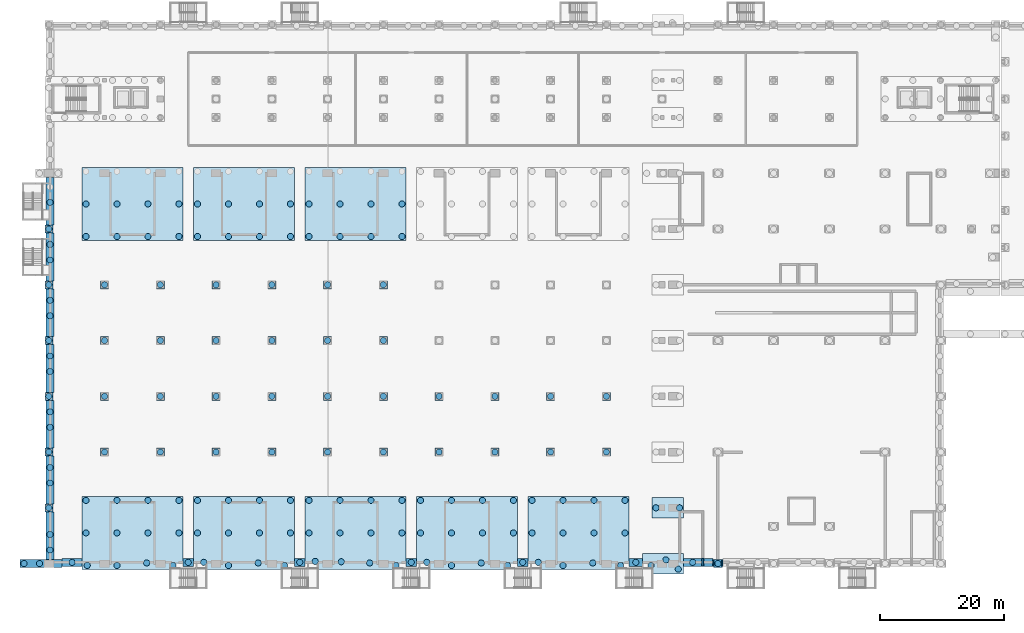
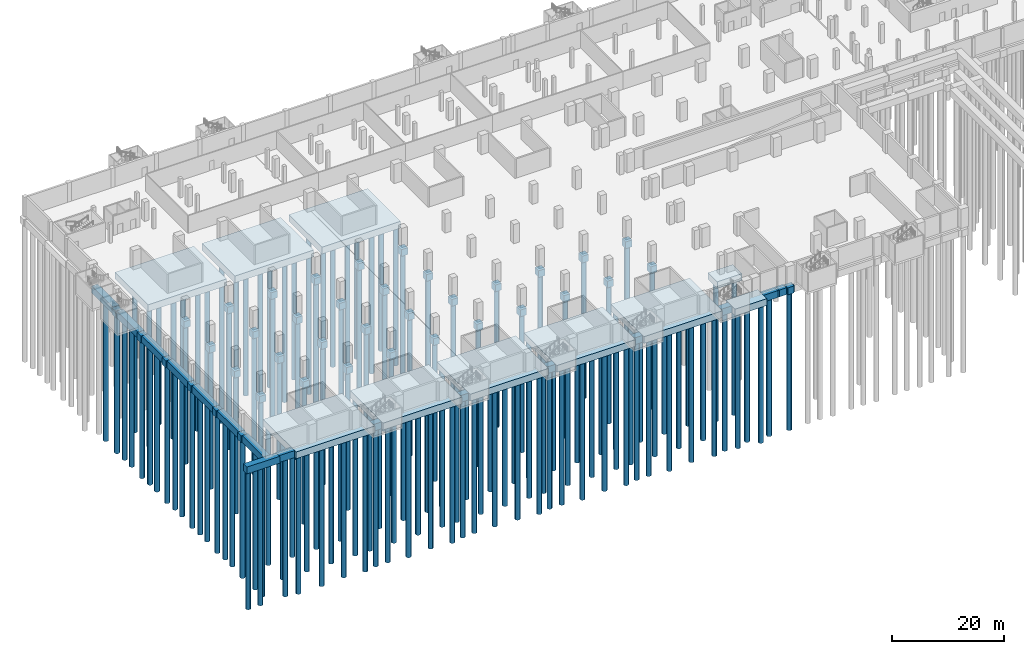
# One storey, part 1 of 29: 150 piles, 68 footings.
"""IFC4 building model written with IfcOpenShell, lengths in metres."""

from ifc_helpers import new_model, si_unit, direction, frame, origin, origin_2d, place, context, subcontext, project, spatial, rectangle, circle, extrude, material, material_profile, profile_set, type_object, element, save


model = new_model("IFC4")

# Units and contexts
model_context = context("Model", 3, precision=1e-05, world=origin(), true_north=direction((0.0, 1.0)))
body_context = subcontext(model_context, "Body", "Model", "MODEL_VIEW")
ifc_project = project(units=[si_unit("LENGTHUNIT", "METRE"), si_unit("AREAUNIT", "SQUARE_METRE"), si_unit("VOLUMEUNIT", "CUBIC_METRE"), si_unit("PLANEANGLEUNIT", "RADIAN"), si_unit("MASSUNIT", "GRAM", prefix="KILO")], contexts=[model_context])

# Site, building, storey
site_placement = place(None, origin())
site = spatial("IfcSite", under=ifc_project, at=site_placement, CompositionType="ELEMENT")
building_placement = place(site_placement, origin())
building = spatial("IfcBuilding", under=site, at=building_placement, Name="Aravalli Gate Trade Fair Centre", CompositionType="ELEMENT")
storey_placement = place(building_placement, frame((0.0, 0.0, -8.39990234375)))
storey = spatial("IfcBuildingStorey", under=building, at=storey_placement, Name="B2", CompositionType="ELEMENT", Elevation=-8.39990234375)

# Piles
ifc_material = material(Name="Concrete M35", Category="concrete")
ifc_material_profile = material_profile(ifc_material, circle(Radius=0.5, at=origin_2d()), Name="D1000")
ifc_profile_set = profile_set([ifc_material_profile], Name="Concrete M35")
pile_type = type_object("IfcPileType", Name="Basement bored pile D1000", PredefinedType="BORED", material=ifc_profile_set)
for number, where, z_axis, x_axis, name in (
    (1, (103.199951171875, 45.699951171875, -1.900146484375), (0.0, 0.0, -1.0), (1.0, 0.0, 0.0), "Basement bored pile W090-01"),
    (2, (105.60009765625, 46.60009765625, -1.900146484375), (0.0, 0.0, -1.0), (1.0, 0.0, 0.0), "Basement bored pile W090-02"),
    (3, (107.60009765625, 45.10009765625, -1.900146484375), (0.0, 0.0, -1.0), (1.0, 0.0, 0.0), "Basement bored pile W090-03"),
    (4, (12.0, 50.949951171875, -1.900146484375), (0.0, 0.0, -1.0), (1.0, 0.0, 0.0), "Basement bored pile W091-01"),
    (5, (12.0, 56.199951171875, -1.900146484375), (0.0, 0.0, -1.0), (1.0, 0.0, 0.0), "Basement bored pile W091-02"),
    (6, (12.199951171875, 45.699951171875, -1.900146484375), (0.0, 0.0, -1.0), (1.0, 0.0, 0.0), "Basement bored pile W091-03"),
    (7, (17.0, 45.699951171875, -1.900146484375), (0.0, 0.0, -1.0), (1.0, 0.0, 0.0), "Basement bored pile W091-04"),
    (8, (17.0, 50.949951171875, -1.900146484375), (0.0, 0.0, -1.0), (1.0, 0.0, 0.0), "Basement bored pile W091-05"),
    (9, (17.0, 56.199951171875, -1.900146484375), (0.0, 0.0, -1.0), (1.0, 0.0, 0.0), "Basement bored pile W091-06"),
    (10, (21.800048828125, 46.10009765625, -1.900146484375), (0.0, 0.0, -1.0), (1.0, 0.0, 0.0), "Basement bored pile W091-07"),
    (11, (22.0, 50.949951171875, -1.900146484375), (0.0, 0.0, -1.0), (1.0, 0.0, 0.0), "Basement bored pile W091-08"),
    (12, (22.0, 56.199951171875, -1.900146484375), (0.0, 0.0, -1.0), (1.0, 0.0, 0.0), "Basement bored pile W091-09"),
    (13, (26.050048828125, 45.699951171875, -1.900146484375), (0.0, 0.0, -1.0), (1.0, 0.0, 0.0), "Basement bored pile W091-10"),
    (14, (27.0, 50.949951171875, -1.900146484375), (0.0, 0.0, -1.0), (1.0, 0.0, 0.0), "Basement bored pile W091-11"),
    (15, (27.0, 56.199951171875, -1.900146484375), (0.0, 0.0, -1.0), (1.0, 0.0, 0.0), "Basement bored pile W091-12"),
    (16, (30.0, 50.949951171875, -1.900146484375), (0.0, 0.0, -1.0), (1.0, 0.0, 0.0), "Basement bored pile W092-01"),
    (17, (30.0, 56.199951171875, -1.900146484375), (0.0, 0.0, -1.0), (1.0, 0.0, 0.0), "Basement bored pile W092-02"),
    (18, (31.0, 46.199951171875, -1.900146484375), (0.0, 0.0, -1.0), (1.0, 0.0, 0.0), "Basement bored pile W092-03"),
    (19, (35.0, 45.699951171875, -1.900146484375), (0.0, 0.0, -1.0), (1.0, 0.0, 0.0), "Basement bored pile W092-04"),
    (20, (35.0, 50.949951171875, -1.900146484375), (0.0, 0.0, -1.0), (1.0, 0.0, 0.0), "Basement bored pile W092-05"),
    (21, (35.0, 56.199951171875, -1.900146484375), (0.0, 0.0, -1.0), (1.0, 0.0, 0.0), "Basement bored pile W092-06"),
    (22, (39.800048828125, 46.10009765625, -1.900146484375), (0.0, 0.0, -1.0), (1.0, 0.0, 0.0), "Basement bored pile W092-07"),
    (23, (40.0, 50.949951171875, -1.900146484375), (0.0, 0.0, -1.0), (1.0, 0.0, 0.0), "Basement bored pile W092-08"),
    (24, (40.0, 56.199951171875, -1.900146484375), (0.0, 0.0, -1.0), (1.0, 0.0, 0.0), "Basement bored pile W092-09"),
    (25, (44.050048828125, 45.699951171875, -1.900146484375), (0.0, 0.0, -1.0), (1.0, 0.0, 0.0), "Basement bored pile W092-10"),
    (26, (45.0, 50.949951171875, -1.900146484375), (0.0, 0.0, -1.0), (1.0, 0.0, 0.0), "Basement bored pile W092-11"),
    (27, (45.0, 56.199951171875, -1.900146484375), (0.0, 0.0, -1.0), (1.0, 0.0, 0.0), "Basement bored pile W092-12"),
    (28, (48.0, 50.949951171875, -1.900146484375), (0.0, 0.0, -1.0), (1.0, 0.0, 0.0), "Basement bored pile W093-01"),
    (29, (48.0, 56.199951171875, -1.900146484375), (0.0, 0.0, -1.0), (1.0, 0.0, 0.0), "Basement bored pile W093-02"),
    (30, (49.0, 46.35009765625, -1.900146484375), (0.0, 0.0, -1.0), (1.0, 0.0, 0.0), "Basement bored pile W093-03"),
    (31, (53.0, 50.949951171875, -1.900146484375), (0.0, 0.0, -1.0), (1.0, 0.0, 0.0), "Basement bored pile W093-04"),
    (32, (53.0, 56.199951171875, -1.900146484375), (0.0, 0.0, -1.0), (1.0, 0.0, 0.0), "Basement bored pile W093-05"),
    (33, (53.199951171875, 46.300048828125, -1.900146484375), (0.0, 0.0, -1.0), (1.0, 0.0, 0.0), "Basement bored pile W093-06"),
    (34, (57.800048828125, 46.10009765625, -1.900146484375), (0.0, 0.0, -1.0), (1.0, 0.0, 0.0), "Basement bored pile W093-07"),
    (35, (58.0, 50.949951171875, -1.900146484375), (0.0, 0.0, -1.0), (1.0, 0.0, 0.0), "Basement bored pile W093-08"),
    (36, (58.0, 56.199951171875, -1.900146484375), (0.0, 0.0, -1.0), (1.0, 0.0, 0.0), "Basement bored pile W093-09"),
    (37, (62.050048828125, 45.699951171875, -1.900146484375), (0.0, 0.0, -1.0), (1.0, 0.0, 0.0), "Basement bored pile W093-10"),
    (38, (63.0, 50.949951171875, -1.900146484375), (0.0, 0.0, -1.0), (1.0, 0.0, 0.0), "Basement bored pile W093-11"),
    (39, (63.0, 56.199951171875, -1.900146484375), (0.0, 0.0, -1.0), (1.0, 0.0, 0.0), "Basement bored pile W093-12"),
    (40, (66.0, 50.949951171875, -1.900146484375), (0.0, 0.0, -1.0), (1.0, 0.0, 0.0), "Basement bored pile W094-01"),
    (41, (66.0, 56.199951171875, -1.900146484375), (0.0, 0.0, -1.0), (1.0, 0.0, 0.0), "Basement bored pile W094-02"),
    (42, (67.0, 46.199951171875, -1.900146484375), (0.0, 0.0, -1.0), (1.0, 0.0, 0.0), "Basement bored pile W094-03"),
    (43, (71.0, 45.699951171875, -1.900146484375), (0.0, 0.0, -1.0), (1.0, 0.0, 0.0), "Basement bored pile W094-04"),
    (44, (71.0, 50.949951171875, -1.900146484375), (0.0, 0.0, -1.0), (1.0, 0.0, 0.0), "Basement bored pile W094-05"),
    (45, (71.0, 56.199951171875, -1.900146484375), (0.0, 0.0, -1.0), (1.0, 0.0, 0.0), "Basement bored pile W094-06"),
    (46, (75.800048828125, 46.10009765625, -1.900146484375), (0.0, 0.0, -1.0), (1.0, 0.0, 0.0), "Basement bored pile W094-07"),
    (47, (76.0, 50.949951171875, -1.900146484375), (0.0, 0.0, -1.0), (1.0, 0.0, 0.0), "Basement bored pile W094-08"),
    (48, (76.0, 56.199951171875, -1.900146484375), (0.0, 0.0, -1.0), (1.0, 0.0, 0.0), "Basement bored pile W094-09"),
    (49, (80.050048828125, 45.699951171875, -1.900146484375), (0.0, 0.0, -1.0), (1.0, 0.0, 0.0), "Basement bored pile W094-10"),
    (50, (81.0, 50.949951171875, -1.900146484375), (0.0, 0.0, -1.0), (1.0, 0.0, 0.0), "Basement bored pile W094-11"),
    (51, (81.0, 56.199951171875, -1.900146484375), (0.0, 0.0, -1.0), (1.0, 0.0, 0.0), "Basement bored pile W094-12"),
    (52, (84.0, 50.949951171875, -1.900146484375), (0.0, 0.0, -1.0), (1.0, 0.0, 0.0), "Basement bored pile W095-01"),
    (53, (84.0, 56.199951171875, -1.900146484375), (0.0, 0.0, -1.0), (1.0, 0.0, 0.0), "Basement bored pile W095-02"),
    (54, (85.0, 46.199951171875, -1.900146484375), (0.0, 0.0, -1.0), (1.0, 0.0, 0.0), "Basement bored pile W095-03"),
    (55, (89.0, 45.699951171875, -1.900146484375), (0.0, 0.0, -1.0), (1.0, 0.0, 0.0), "Basement bored pile W095-04"),
    (56, (89.0, 50.949951171875, -1.900146484375), (0.0, 0.0, -1.0), (1.0, 0.0, 0.0), "Basement bored pile W095-05"),
    (57, (89.0, 56.199951171875, -1.900146484375), (0.0, 0.0, -1.0), (1.0, 0.0, 0.0), "Basement bored pile W095-06"),
    (58, (93.800048828125, 46.10009765625, -1.900146484375), (0.0, 0.0, -1.0), (1.0, 0.0, 0.0), "Basement bored pile W095-07"),
    (59, (94.0, 50.949951171875, -1.900146484375), (0.0, 0.0, -1.0), (1.0, 0.0, 0.0), "Basement bored pile W095-08"),
    (60, (94.0, 56.199951171875, -1.900146484375), (0.0, 0.0, -1.0), (1.0, 0.0, 0.0), "Basement bored pile W095-09"),
    (61, (98.300048828125, 45.699951171875, -1.900146484375), (0.0, 0.0, -1.0), (1.0, 0.0, 0.0), "Basement bored pile W095-10"),
    (62, (99.0, 50.949951171875, -1.900146484375), (0.0, 0.0, -1.0), (1.0, 0.0, 0.0), "Basement bored pile W095-11"),
    (63, (99.0, 56.199951171875, -1.900146484375), (0.0, 0.0, -1.0), (1.0, 0.0, 0.0), "Basement bored pile W095-12"),
    (64, (2.0, 46.0, -1.900146484375), (0.0, 0.0, -1.0), (1.0, 0.0, 0.0), "Basement bored pile W096-01"),
    (65, (4.5, 46.0, -1.900146484375), (0.0, 0.0, -1.0), (1.0, 0.0, 0.0), "Basement bored pile W096-02"),
    (66, (114.0, 46.0, -1.900146484375), (0.0, 0.0, -1.0), (1.0, 0.0, 0.0), "Basement bored pile W097-01"),
    (67, (9.75, 46.199951171875, -1.900146484375), (0.0, 0.0, -1.0), (1.0, 0.0, 0.0), "Basement bored pile W102-01"),
    (68, (28.5, 46.199951171875, -1.900146484375), (0.0, 0.0, -1.0), (1.0, 0.0, 0.0), "Basement bored pile W103-01"),
    (69, (46.5, 46.199951171875, -1.900146484375), (0.0, 0.0, -1.0), (1.0, 0.0, 0.0), "Basement bored pile W104-01"),
    (70, (64.5, 46.199951171875, -1.900146484375), (0.0, 0.0, -1.0), (1.0, 0.0, 0.0), "Basement bored pile W105-01"),
    (71, (82.5, 46.199951171875, -1.900146484375), (0.0, 0.0, -1.0), (1.0, 0.0, 0.0), "Basement bored pile W106-01"),
    (72, (100.75, 46.199951171875, -1.900146484375), (0.0, 0.0, -1.0), (1.0, 0.0, 0.0), "Basement bored pile W107-01"),
    (73, (109.925048828125, 46.199951171875, -1.900146484375), (0.0, 0.0, -1.0), (1.0, 0.0, 0.0), "Basement bored pile W108-01"),
    (74, (6.199951171875, 48.199951171875, -1.900146484375), (0.0, 0.0, -1.0), (1.0, 0.0, 0.0), "Basement bored pile W115-01"),
    (75, (6.199951171875, 50.699951171875, -1.900146484375), (0.0, 0.0, -1.0), (1.0, 0.0, 0.0), "Basement bored pile W115-02"),
    (76, (104.0, 55.0, -1.900146484375), (0.0, 0.0, -1.0), (1.0, 0.0, 0.0), "Basement bored pile W119-01"),
    (77, (107.800048828125, 55.0, -1.900146484375), (0.0, 0.0, -1.0), (1.0, 0.0, 0.0), "Basement bored pile W119-02"),
    (78, (6.0, 55.0, -1.900146484375), (0.0, 0.0, -1.0), (1.0, 0.0, 0.0), "Basement bored pile W120-01"),
    (79, (6.199951171875, 59.0, -1.900146484375), (0.0, 0.0, -1.0), (1.0, 0.0, 0.0), "Basement bored pile W122-01"),
    (80, (6.199951171875, 61.5, -1.900146484375), (0.0, 0.0, -1.0), (1.0, 0.0, 0.0), "Basement bored pile W122-02"),
    (81, (6.0, 64.0, -1.900146484375), (0.0, 0.0, -1.0), (1.0, 0.0, 0.0), "Basement bored pile W125-01"),
    (82, (15.0, 64.0, -1.900146484375), (0.0, 0.0, -1.0), (1.0, 0.0, 0.0), "Basement bored pile W126-01"),
    (83, (24.0, 64.0, -1.900146484375), (0.0, 0.0, -1.0), (1.0, 0.0, 0.0), "Basement bored pile W127-01"),
    (84, (33.0, 64.0, -1.900146484375), (0.0, 0.0, -1.0), (1.0, 0.0, 0.0), "Basement bored pile W128-01"),
    (85, (42.0, 64.0, -1.900146484375), (0.0, 0.0, -1.0), (1.0, 0.0, 0.0), "Basement bored pile W129-01"),
    (86, (51.0, 64.0, -1.900146484375), (0.0, 0.0, -1.0), (1.0, 0.0, 0.0), "Basement bored pile W130-01"),
    (87, (60.0, 64.0, -1.900146484375), (0.0, 0.0, -1.0), (1.0, 0.0, 0.0), "Basement bored pile W131-01"),
    (88, (69.0, 64.0, -1.900146484375), (0.0, 0.0, -1.0), (1.0, 0.0, 0.0), "Basement bored pile W132-01"),
    (89, (78.0, 64.0, -1.900146484375), (0.0, 0.0, -1.0), (1.0, 0.0, 0.0), "Basement bored pile W133-01"),
    (90, (87.0, 64.0, -1.900146484375), (0.0, 0.0, -1.0), (1.0, 0.0, 0.0), "Basement bored pile W134-01"),
    (91, (96.0, 64.0, -1.900146484375), (0.0, 0.0, -1.0), (1.0, 0.0, 0.0), "Basement bored pile W135-01"),
    (92, (6.199951171875, 68.0, -1.900146484375), (0.0, 0.0, -1.0), (1.0, 0.0, 0.0), "Basement bored pile W139-01"),
    (93, (6.199951171875, 70.5, -1.900146484375), (0.0, 0.0, -1.0), (1.0, 0.0, 0.0), "Basement bored pile W139-02"),
    (94, (6.0, 73.0, -1.900146484375), (0.0, 0.0, -1.0), (1.0, 0.0, 0.0), "Basement bored pile W142-01"),
    (95, (15.0, 73.0, -1.900146484375), (0.0, 0.0, -1.0), (1.0, 0.0, 0.0), "Basement bored pile W143-01"),
    (96, (24.0, 73.0, -1.900146484375), (0.0, 0.0, -1.0), (1.0, 0.0, 0.0), "Basement bored pile W144-01"),
    (97, (33.0, 73.0, -1.900146484375), (0.0, 0.0, -1.0), (1.0, 0.0, 0.0), "Basement bored pile W145-01"),
    (98, (42.0, 73.0, -1.900146484375), (0.0, 0.0, -1.0), (1.0, 0.0, 0.0), "Basement bored pile W146-01"),
    (99, (51.0, 73.0, -1.900146484375), (0.0, 0.0, -1.0), (1.0, 0.0, 0.0), "Basement bored pile W147-01"),
    (100, (60.0, 73.0, -1.900146484375), (0.0, 0.0, -1.0), (1.0, 0.0, 0.0), "Basement bored pile W148-01"),
    (101, (69.0, 73.0, -1.900146484375), (0.0, 0.0, -1.0), (1.0, 0.0, 0.0), "Basement bored pile W149-01"),
    (102, (78.0, 73.0, -1.900146484375), (0.0, 0.0, -1.0), (1.0, 0.0, 0.0), "Basement bored pile W150-01"),
    (103, (87.0, 73.0, -1.900146484375), (0.0, 0.0, -1.0), (1.0, 0.0, 0.0), "Basement bored pile W151-01"),
    (104, (96.0, 73.0, -1.900146484375), (0.0, 0.0, -1.0), (1.0, 0.0, 0.0), "Basement bored pile W152-01"),
    (105, (6.199951171875, 77.0, -1.900146484375), (0.0, 0.0, -1.0), (1.0, 0.0, 0.0), "Basement bored pile W154-01"),
    (106, (6.199951171875, 79.5, -1.900146484375), (0.0, 0.0, -1.0), (1.0, 0.0, 0.0), "Basement bored pile W154-02"),
    (107, (6.0, 82.0, -1.900146484375), (0.0, 0.0, -1.0), (1.0, 0.0, 0.0), "Basement bored pile W157-01"),
    (108, (15.0, 82.0, -1.900146484375), (0.0, 0.0, -1.0), (1.0, 0.0, 0.0), "Basement bored pile W158-01"),
    (109, (24.0, 82.0, -1.900146484375), (0.0, 0.0, -1.0), (1.0, 0.0, 0.0), "Basement bored pile W159-01"),
    (110, (33.0, 82.0, -1.900146484375), (0.0, 0.0, -1.0), (1.0, 0.0, 0.0), "Basement bored pile W160-01"),
    (111, (42.0, 82.0, -1.900146484375), (0.0, 0.0, -1.0), (1.0, 0.0, 0.0), "Basement bored pile W161-01"),
    (112, (51.0, 82.0, -1.900146484375), (0.0, 0.0, -1.0), (1.0, 0.0, 0.0), "Basement bored pile W162-01"),
    (113, (60.0, 82.0, -1.900146484375), (0.0, 0.0, -1.0), (1.0, 0.0, 0.0), "Basement bored pile W163-01"),
    (114, (6.199951171875, 86.0, -1.900146484375), (0.0, 0.0, -1.0), (1.0, 0.0, 0.0), "Basement bored pile W174-01"),
    (115, (6.199951171875, 88.5, -1.900146484375), (0.0, 0.0, -1.0), (1.0, 0.0, 0.0), "Basement bored pile W174-02"),
    (116, (6.0, 91.0, -1.900146484375), (0.0, 0.0, -1.0), (1.0, 0.0, 0.0), "Basement bored pile W178-01"),
    (117, (15.0, 91.0, -1.900146484375), (0.0, 0.0, -1.0), (1.0, 0.0, 0.0), "Basement bored pile W179-01"),
    (118, (24.0, 91.0, -1.900146484375), (0.0, 0.0, -1.0), (1.0, 0.0, 0.0), "Basement bored pile W180-01"),
    (119, (33.0, 91.0, -1.900146484375), (0.0, 0.0, -1.0), (1.0, 0.0, 0.0), "Basement bored pile W181-01"),
    (120, (42.0, 91.0, -1.900146484375), (0.0, 0.0, -1.0), (1.0, 0.0, 0.0), "Basement bored pile W182-01"),
    (121, (51.0, 91.0, -1.900146484375), (0.0, 0.0, -1.0), (1.0, 0.0, 0.0), "Basement bored pile W183-01"),
    (122, (60.0, 91.0, -1.900146484375), (0.0, 0.0, -1.0), (1.0, 0.0, 0.0), "Basement bored pile W184-01"),
    (123, (6.199951171875, 95.0, -1.900146484375), (0.0, 0.0, -1.0), (1.0, 0.0, 0.0), "Basement bored pile W191-01"),
    (124, (6.199951171875, 97.5, -1.900146484375), (0.0, 0.0, -1.0), (1.0, 0.0, 0.0), "Basement bored pile W191-02"),
    (125, (12.0, 98.800048828125, -1.900146484375), (0.0, 0.0, -1.0), (1.0, 0.0, 0.0), "Basement bored pile W193-01"),
    (126, (12.0, 104.050048828125, -1.900146484375), (0.0, 0.0, -1.0), (1.0, 0.0, 0.0), "Basement bored pile W193-02"),
    (127, (17.0, 98.800048828125, -1.900146484375), (0.0, 0.0, -1.0), (1.0, 0.0, 0.0), "Basement bored pile W193-04"),
    (128, (17.0, 104.050048828125, -1.900146484375), (0.0, 0.0, -1.0), (1.0, 0.0, 0.0), "Basement bored pile W193-05"),
    (129, (22.0, 98.800048828125, -1.900146484375), (0.0, 0.0, -1.0), (1.0, 0.0, 0.0), "Basement bored pile W193-07"),
    (130, (22.0, 104.050048828125, -1.900146484375), (0.0, 0.0, -1.0), (1.0, 0.0, 0.0), "Basement bored pile W193-08"),
    (131, (27.0, 98.800048828125, -1.900146484375), (0.0, 0.0, -1.0), (1.0, 0.0, 0.0), "Basement bored pile W193-10"),
    (132, (27.0, 104.050048828125, -1.900146484375), (0.0, 0.0, -1.0), (1.0, 0.0, 0.0), "Basement bored pile W193-11"),
    (133, (30.0, 98.800048828125, -1.900146484375), (0.0, 0.0, -1.0), (1.0, 0.0, 0.0), "Basement bored pile W194-01"),
    (134, (30.0, 104.050048828125, -1.900146484375), (0.0, 0.0, -1.0), (1.0, 0.0, 0.0), "Basement bored pile W194-02"),
    (135, (35.0, 98.800048828125, -1.900146484375), (0.0, 0.0, -1.0), (1.0, 0.0, 0.0), "Basement bored pile W194-04"),
    (136, (35.0, 104.050048828125, -1.900146484375), (0.0, 0.0, -1.0), (1.0, 0.0, 0.0), "Basement bored pile W194-05"),
    (137, (40.0, 98.800048828125, -1.900146484375), (0.0, 0.0, -1.0), (1.0, 0.0, 0.0), "Basement bored pile W194-07"),
    (138, (40.0, 104.050048828125, -1.900146484375), (0.0, 0.0, -1.0), (1.0, 0.0, 0.0), "Basement bored pile W194-08"),
    (139, (45.0, 98.800048828125, -1.900146484375), (0.0, 0.0, -1.0), (1.0, 0.0, 0.0), "Basement bored pile W194-10"),
    (140, (45.0, 104.050048828125, -1.900146484375), (0.0, 0.0, -1.0), (1.0, 0.0, 0.0), "Basement bored pile W194-11"),
    (141, (48.0, 98.800048828125, -1.900146484375), (0.0, 0.0, -1.0), (1.0, 0.0, 0.0), "Basement bored pile W195-01"),
    (142, (48.0, 104.050048828125, -1.900146484375), (0.0, 0.0, -1.0), (1.0, 0.0, 0.0), "Basement bored pile W195-02"),
    (143, (53.0, 98.800048828125, -1.900146484375), (0.0, 0.0, -1.0), (1.0, 0.0, 0.0), "Basement bored pile W195-04"),
    (144, (53.0, 104.050048828125, -1.900146484375), (0.0, 0.0, -1.0), (1.0, 0.0, 0.0), "Basement bored pile W195-05"),
    (145, (58.0, 98.800048828125, -1.900146484375), (0.0, 0.0, -1.0), (1.0, 0.0, 0.0), "Basement bored pile W195-07"),
    (146, (58.0, 104.050048828125, -1.900146484375), (0.0, 0.0, -1.0), (1.0, 0.0, 0.0), "Basement bored pile W195-08"),
    (147, (63.0, 98.800048828125, -1.900146484375), (0.0, 0.0, -1.0), (1.0, 0.0, 0.0), "Basement bored pile W195-10"),
    (148, (63.0, 104.050048828125, -1.900146484375), (0.0, 0.0, -1.0), (1.0, 0.0, 0.0), "Basement bored pile W195-11"),
    (149, (6.0, 100.0, -1.900146484375), (0.0, 0.0, -1.0), (1.0, 0.0, 0.0), "Basement bored pile W199-01"),
    (150, (6.199951171875, 104.300048828125, -1.900146484375), (0.0, 0.0, -1.0), (1.0, 0.0, 0.0), "Basement bored pile W207-01"),
):
    element("IfcPile", number, at=place(storey_placement, frame(where, z_axis=z_axis, x_axis=x_axis)), inside=storey, type_object=pile_type, Name=name, PredefinedType="BORED", context=body_context, shape_type="SweptSolid", body=[
        extrude(circle(Radius=0.5, at=origin_2d()), origin(), (0.0, 0.0, 1.0), 30.0),
    ])

# Footings
footing_type_1 = type_object("IfcFootingType", Name="Basement ground beam 0.15 x 1.1", PredefinedType="FOOTING_BEAM", material=ifc_material)
for number, where, z_axis, x_axis, name in (
    (151, (113.27490234375, 46.10009765625, -1.900146484375), (0.0, 0.0, 1.0), (1.0, 0.0, 0.0), "Basement pile cap W294"),
    (152, (114.72509765625, 46.10009765625, -1.900146484375), (0.0, 0.0, 1.0), (1.0, 0.0, 0.0), "Basement pile cap W295"),
):
    element("IfcFooting", number, at=place(storey_placement, frame(where, z_axis=z_axis, x_axis=x_axis)), inside=storey, type_object=footing_type_1, Name=name, PredefinedType="FOOTING_BEAM", context=body_context, shape_type="SweptSolid", body=[
        extrude(rectangle(XDim=0.14990234375, YDim=1.10009765625, at=origin_2d()), origin(), (0.0, 0.0, 1.0), 1.5),
    ])
footing_type_2 = type_object("IfcFootingType", Name="Basement ground beam 0.3 x 1.3", PredefinedType="FOOTING_BEAM", material=ifc_material)
footing_1_placement = place(storey_placement, frame((111.550048828125, 46.199951171875, -1.900146484375), z_axis=(0.0, 0.0, 1.0), x_axis=(1.0, 0.0, 0.0)))
element("IfcFooting", 153, at=footing_1_placement, inside=storey, type_object=footing_type_2, Name="Basement pile cap W293", PredefinedType="FOOTING_BEAM", context=body_context, shape_type="SweptSolid", body=[
    extrude(rectangle(XDim=0.300048828125, YDim=1.300048828125, at=origin_2d()), origin(), (0.0, 0.0, 1.0), 1.5),
])
footing_type_3 = type_object("IfcFootingType", Name="Basement ground beam 1.5 x 1.3", PredefinedType="FOOTING_BEAM", material=ifc_material)
footing_2_placement = place(storey_placement, frame((112.449951171875, 46.199951171875, -1.900146484375), z_axis=(0.0, 0.0, 1.0), x_axis=(1.0, 0.0, 0.0)))
element("IfcFooting", 154, at=footing_2_placement, inside=storey, type_object=footing_type_3, Name="Basement pile cap W109", PredefinedType="FOOTING_BEAM", context=body_context, shape_type="SweptSolid", body=[
    extrude(rectangle(XDim=1.5, YDim=1.300048828125, at=origin_2d()), origin(), (0.0, 0.0, 1.0), 1.5),
])
footing_type_4 = type_object("IfcFootingType", Name="Basement pile cap 1.3 x 1.3 (1 x 1 piles)", PredefinedType="PILE_CAP", material=ifc_material)
for number, where, z_axis, x_axis, name in (
    (155, (114.0, 46.0, -1.900146484375), (0.0, 0.0, 1.0), (1.0, 0.0, 0.0), "Basement pile cap W097"),
    (156, (6.0, 55.0, -1.900146484375), (0.0, 0.0, 1.0), (1.0, 0.0, 0.0), "Basement pile cap W120"),
    (157, (6.0, 64.0, -1.900146484375), (0.0, 0.0, 1.0), (1.0, 0.0, 0.0), "Basement pile cap W125"),
    (158, (15.0, 64.0, -1.900146484375), (0.0, 0.0, 1.0), (1.0, 0.0, 0.0), "Basement pile cap W126"),
    (159, (24.0, 64.0, -1.900146484375), (0.0, 0.0, 1.0), (1.0, 0.0, 0.0), "Basement pile cap W127"),
    (160, (33.0, 64.0, -1.900146484375), (0.0, 0.0, 1.0), (1.0, 0.0, 0.0), "Basement pile cap W128"),
    (161, (42.0, 64.0, -1.900146484375), (0.0, 0.0, 1.0), (1.0, 0.0, 0.0), "Basement pile cap W129"),
    (162, (51.0, 64.0, -1.900146484375), (0.0, 0.0, 1.0), (1.0, 0.0, 0.0), "Basement pile cap W130"),
    (163, (60.0, 64.0, -1.900146484375), (0.0, 0.0, 1.0), (1.0, 0.0, 0.0), "Basement pile cap W131"),
    (164, (69.0, 64.0, -1.900146484375), (0.0, 0.0, 1.0), (1.0, 0.0, 0.0), "Basement pile cap W132"),
    (165, (78.0, 64.0, -1.900146484375), (0.0, 0.0, 1.0), (1.0, 0.0, 0.0), "Basement pile cap W133"),
    (166, (87.0, 64.0, -1.900146484375), (0.0, 0.0, 1.0), (1.0, 0.0, 0.0), "Basement pile cap W134"),
    (167, (96.0, 64.0, -1.900146484375), (0.0, 0.0, 1.0), (1.0, 0.0, 0.0), "Basement pile cap W135"),
    (168, (6.0, 73.0, -1.900146484375), (0.0, 0.0, 1.0), (1.0, 0.0, 0.0), "Basement pile cap W142"),
    (169, (15.0, 73.0, -1.900146484375), (0.0, 0.0, 1.0), (1.0, 0.0, 0.0), "Basement pile cap W143"),
    (170, (24.0, 73.0, -1.900146484375), (0.0, 0.0, 1.0), (1.0, 0.0, 0.0), "Basement pile cap W144"),
    (171, (33.0, 73.0, -1.900146484375), (0.0, 0.0, 1.0), (1.0, 0.0, 0.0), "Basement pile cap W145"),
    (172, (42.0, 73.0, -1.900146484375), (0.0, 0.0, 1.0), (1.0, 0.0, 0.0), "Basement pile cap W146"),
    (173, (51.0, 73.0, -1.900146484375), (0.0, 0.0, 1.0), (1.0, 0.0, 0.0), "Basement pile cap W147"),
    (174, (60.0, 73.0, -1.900146484375), (0.0, 0.0, 1.0), (1.0, 0.0, 0.0), "Basement pile cap W148"),
    (175, (69.0, 73.0, -1.900146484375), (0.0, 0.0, 1.0), (1.0, 0.0, 0.0), "Basement pile cap W149"),
    (176, (78.0, 73.0, -1.900146484375), (0.0, 0.0, 1.0), (1.0, 0.0, 0.0), "Basement pile cap W150"),
    (177, (87.0, 73.0, -1.900146484375), (0.0, 0.0, 1.0), (1.0, 0.0, 0.0), "Basement pile cap W151"),
    (178, (96.0, 73.0, -1.900146484375), (0.0, 0.0, 1.0), (1.0, 0.0, 0.0), "Basement pile cap W152"),
    (179, (6.0, 82.0, -1.900146484375), (0.0, 0.0, 1.0), (1.0, 0.0, 0.0), "Basement pile cap W157"),
    (180, (15.0, 82.0, -1.900146484375), (0.0, 0.0, 1.0), (1.0, 0.0, 0.0), "Basement pile cap W158"),
    (181, (24.0, 82.0, -1.900146484375), (0.0, 0.0, 1.0), (1.0, 0.0, 0.0), "Basement pile cap W159"),
    (182, (33.0, 82.0, -1.900146484375), (0.0, 0.0, 1.0), (1.0, 0.0, 0.0), "Basement pile cap W160"),
    (183, (42.0, 82.0, -1.900146484375), (0.0, 0.0, 1.0), (1.0, 0.0, 0.0), "Basement pile cap W161"),
    (184, (51.0, 82.0, -1.900146484375), (0.0, 0.0, 1.0), (1.0, 0.0, 0.0), "Basement pile cap W162"),
    (185, (60.0, 82.0, -1.900146484375), (0.0, 0.0, 1.0), (1.0, 0.0, 0.0), "Basement pile cap W163"),
    (186, (6.0, 91.0, -1.900146484375), (0.0, 0.0, 1.0), (1.0, 0.0, 0.0), "Basement pile cap W178"),
    (187, (15.0, 91.0, -1.900146484375), (0.0, 0.0, 1.0), (1.0, 0.0, 0.0), "Basement pile cap W179"),
    (188, (24.0, 91.0, -1.900146484375), (0.0, 0.0, 1.0), (1.0, 0.0, 0.0), "Basement pile cap W180"),
    (189, (33.0, 91.0, -1.900146484375), (0.0, 0.0, 1.0), (1.0, 0.0, 0.0), "Basement pile cap W181"),
    (190, (42.0, 91.0, -1.900146484375), (0.0, 0.0, 1.0), (1.0, 0.0, 0.0), "Basement pile cap W182"),
    (191, (51.0, 91.0, -1.900146484375), (0.0, 0.0, 1.0), (1.0, 0.0, 0.0), "Basement pile cap W183"),
    (192, (60.0, 91.0, -1.900146484375), (0.0, 0.0, 1.0), (1.0, 0.0, 0.0), "Basement pile cap W184"),
    (193, (6.0, 100.0, -1.900146484375), (0.0, 0.0, 1.0), (1.0, 0.0, 0.0), "Basement pile cap W199"),
):
    element("IfcFooting", number, at=place(storey_placement, frame(where, z_axis=z_axis, x_axis=x_axis)), inside=storey, type_object=footing_type_4, Name=name, PredefinedType="PILE_CAP", context=body_context, shape_type="SweptSolid", body=[
        extrude(rectangle(XDim=1.300048828125, YDim=1.300048828125, at=origin_2d()), origin(), (0.0, 0.0, 1.0), 1.5),
    ])
footing_type_5 = type_object("IfcFootingType", Name="Basement pile cap 1.3 x 7.7 (1 x 2 piles)", PredefinedType="PILE_CAP", material=ifc_material)
for number, where, z_axis, x_axis, name in (
    (194, (6.199951171875, 50.5, -1.900146484375), (0.0, 0.0, 1.0), (1.0, 0.0, 0.0), "Basement pile cap W115"),
    (195, (6.199951171875, 59.5, -1.900146484375), (0.0, 0.0, 1.0), (1.0, 0.0, 0.0), "Basement pile cap W122"),
    (196, (6.199951171875, 68.5, -1.900146484375), (0.0, 0.0, 1.0), (1.0, 0.0, 0.0), "Basement pile cap W139"),
    (197, (6.199951171875, 77.5, -1.900146484375), (0.0, 0.0, 1.0), (1.0, 0.0, 0.0), "Basement pile cap W154"),
    (198, (6.199951171875, 86.5, -1.900146484375), (0.0, 0.0, 1.0), (1.0, 0.0, 0.0), "Basement pile cap W174"),
    (199, (6.199951171875, 95.5, -1.900146484375), (0.0, 0.0, 1.0), (1.0, 0.0, 0.0), "Basement pile cap W191"),
    (200, (6.199951171875, 104.5, -1.900146484375), (0.0, 0.0, 1.0), (1.0, 0.0, 0.0), "Basement pile cap W207"),
):
    element("IfcFooting", number, at=place(storey_placement, frame(where, z_axis=z_axis, x_axis=x_axis)), inside=storey, type_object=footing_type_5, Name=name, PredefinedType="PILE_CAP", context=body_context, shape_type="SweptSolid", body=[
        extrude(rectangle(XDim=1.300048828125, YDim=7.699951171875, at=origin_2d()), origin(), (0.0, 0.0, 1.0), 1.5),
    ])
footing_type_6 = type_object("IfcFootingType", Name="Basement pile cap 1.7 x 1.3 (1 x 1 piles)", PredefinedType="PILE_CAP", material=ifc_material)
for number, where, z_axis, x_axis, name in (
    (201, (28.5, 46.199951171875, -1.900146484375), (0.0, 0.0, 1.0), (1.0, 0.0, 0.0), "Basement pile cap W103"),
    (202, (46.5, 46.199951171875, -1.900146484375), (0.0, 0.0, 1.0), (1.0, 0.0, 0.0), "Basement pile cap W104"),
    (203, (64.5, 46.199951171875, -1.900146484375), (0.0, 0.0, 1.0), (1.0, 0.0, 0.0), "Basement pile cap W105"),
    (204, (82.5, 46.199951171875, -1.900146484375), (0.0, 0.0, 1.0), (1.0, 0.0, 0.0), "Basement pile cap W106"),
):
    element("IfcFooting", number, at=place(storey_placement, frame(where, z_axis=z_axis, x_axis=x_axis)), inside=storey, type_object=footing_type_6, Name=name, PredefinedType="PILE_CAP", context=body_context, shape_type="SweptSolid", body=[
        extrude(rectangle(XDim=1.699951171875, YDim=1.300048828125, at=origin_2d()), origin(), (0.0, 0.0, 1.0), 1.5),
    ])
footing_type_7 = type_object("IfcFootingType", Name="Basement pile cap 16.3 x 11.8 (4 x 3 piles)", PredefinedType="PILE_CAP", material=ifc_material)
for number, where, z_axis, x_axis, name in (
    (205, (19.5, 50.949951171875, -1.900146484375), (0.0, 0.0, 1.0), (1.0, 0.0, 0.0), "Basement pile cap W091"),
    (206, (37.5, 50.949951171875, -1.900146484375), (0.0, 0.0, 1.0), (1.0, 0.0, 0.0), "Basement pile cap W092"),
    (207, (55.5, 50.949951171875, -1.900146484375), (0.0, 0.0, 1.0), (1.0, 0.0, 0.0), "Basement pile cap W093"),
    (208, (73.5, 50.949951171875, -1.900146484375), (0.0, 0.0, 1.0), (1.0, 0.0, 0.0), "Basement pile cap W094"),
    (209, (91.5, 50.949951171875, -1.900146484375), (0.0, 0.0, 1.0), (1.0, 0.0, 0.0), "Basement pile cap W095"),
    (210, (19.5, 104.050048828125, -1.900146484375), (0.0, 0.0, 1.0), (1.0, 0.0, 0.0), "Basement pile cap W193"),
    (211, (37.5, 104.050048828125, -1.900146484375), (0.0, 0.0, 1.0), (1.0, 0.0, 0.0), "Basement pile cap W194"),
    (212, (55.5, 104.050048828125, -1.900146484375), (0.0, 0.0, 1.0), (1.0, 0.0, 0.0), "Basement pile cap W195"),
):
    element("IfcFooting", number, at=place(storey_placement, frame(where, z_axis=z_axis, x_axis=x_axis)), inside=storey, type_object=footing_type_7, Name=name, PredefinedType="PILE_CAP", context=body_context, shape_type="SweptSolid", body=[
        extrude(rectangle(XDim=16.300048828125, YDim=11.800048828125, at=origin_2d()), origin(), (0.0, 0.0, 1.0), 1.5),
    ])
footing_type_8 = type_object("IfcFootingType", Name="Basement pile cap 2.2 x 1.3 (1 x 1 piles)", PredefinedType="PILE_CAP", material=ifc_material)
footing_3_placement = place(storey_placement, frame((100.75, 46.199951171875, -1.900146484375), z_axis=(0.0, 0.0, 1.0), x_axis=(1.0, 0.0, 0.0)))
element("IfcFooting", 213, at=footing_3_placement, inside=storey, type_object=footing_type_8, Name="Basement pile cap W107", PredefinedType="PILE_CAP", context=body_context, shape_type="SweptSolid", body=[
    extrude(rectangle(XDim=2.199951171875, YDim=1.300048828125, at=origin_2d()), origin(), (0.0, 0.0, 1.0), 1.5),
])
footing_type_9 = type_object("IfcFootingType", Name="Basement pile cap 2.95 x 1.3 (1 x 1 piles)", PredefinedType="PILE_CAP", material=ifc_material)
footing_4_placement = place(storey_placement, frame((109.925048828125, 46.199951171875, -1.900146484375), z_axis=(0.0, 0.0, 1.0), x_axis=(1.0, 0.0, 0.0)))
element("IfcFooting", 214, at=footing_4_placement, inside=storey, type_object=footing_type_9, Name="Basement pile cap W108", PredefinedType="PILE_CAP", context=body_context, shape_type="SweptSolid", body=[
    extrude(rectangle(XDim=2.949951171875, YDim=1.300048828125, at=origin_2d()), origin(), (0.0, 0.0, 1.0), 1.5),
])
footing_type_10 = type_object("IfcFootingType", Name="Basement pile cap 3.2 x 1.3 (1 x 1 piles)", PredefinedType="PILE_CAP", material=ifc_material)
footing_5_placement = place(storey_placement, frame((9.75, 46.199951171875, -1.900146484375), z_axis=(0.0, 0.0, 1.0), x_axis=(1.0, 0.0, 0.0)))
element("IfcFooting", 215, at=footing_5_placement, inside=storey, type_object=footing_type_10, Name="Basement pile cap W102", PredefinedType="PILE_CAP", context=body_context, shape_type="SweptSolid", body=[
    extrude(rectangle(XDim=3.199951171875, YDim=1.300048828125, at=origin_2d()), origin(), (0.0, 0.0, 1.0), 1.5),
])
footing_type_11 = type_object("IfcFootingType", Name="Basement pile cap 5.1 x 3.3 (2 x 1 piles)", PredefinedType="PILE_CAP", material=ifc_material)
footing_6_placement = place(storey_placement, frame((105.89990234375, 55.0, -1.900146484375), z_axis=(0.0, 0.0, 1.0), x_axis=(1.0, 0.0, 0.0)))
element("IfcFooting", 216, at=footing_6_placement, inside=storey, type_object=footing_type_11, Name="Basement pile cap W119", PredefinedType="PILE_CAP", context=body_context, shape_type="SweptSolid", body=[
    extrude(rectangle(XDim=5.10009765625, YDim=3.300048828125, at=origin_2d()), origin(), (0.0, 0.0, 1.0), 1.5),
])
footing_type_12 = type_object("IfcFootingType", Name="Basement pile cap 6.6 x 3.3 (3 x 1 piles)", PredefinedType="PILE_CAP", material=ifc_material)
footing_7_placement = place(storey_placement, frame((105.14990234375, 46.0, -1.900146484375), z_axis=(0.0, 0.0, 1.0), x_axis=(1.0, 0.0, 0.0)))
element("IfcFooting", 217, at=footing_7_placement, inside=storey, type_object=footing_type_12, Name="Basement pile cap W090", PredefinedType="PILE_CAP", context=body_context, shape_type="SweptSolid", body=[
    extrude(rectangle(XDim=6.60009765625, YDim=3.300048828125, at=origin_2d()), origin(), (0.0, 0.0, 1.0), 1.5),
])
footing_type_13 = type_object("IfcFootingType", Name="Basement pile cap 6.8 x 1.3 (2 x 1 piles)", PredefinedType="PILE_CAP", material=ifc_material)
footing_8_placement = place(storey_placement, frame((4.75, 46.0, -1.900146484375), z_axis=(0.0, 0.0, 1.0), x_axis=(1.0, 0.0, 0.0)))
element("IfcFooting", 218, at=footing_8_placement, inside=storey, type_object=footing_type_13, Name="Basement pile cap W096", PredefinedType="PILE_CAP", context=body_context, shape_type="SweptSolid", body=[
    extrude(rectangle(XDim=6.800048828125, YDim=1.300048828125, at=origin_2d()), origin(), (0.0, 0.0, 1.0), 1.5),
])

save(model, "model.ifc")
